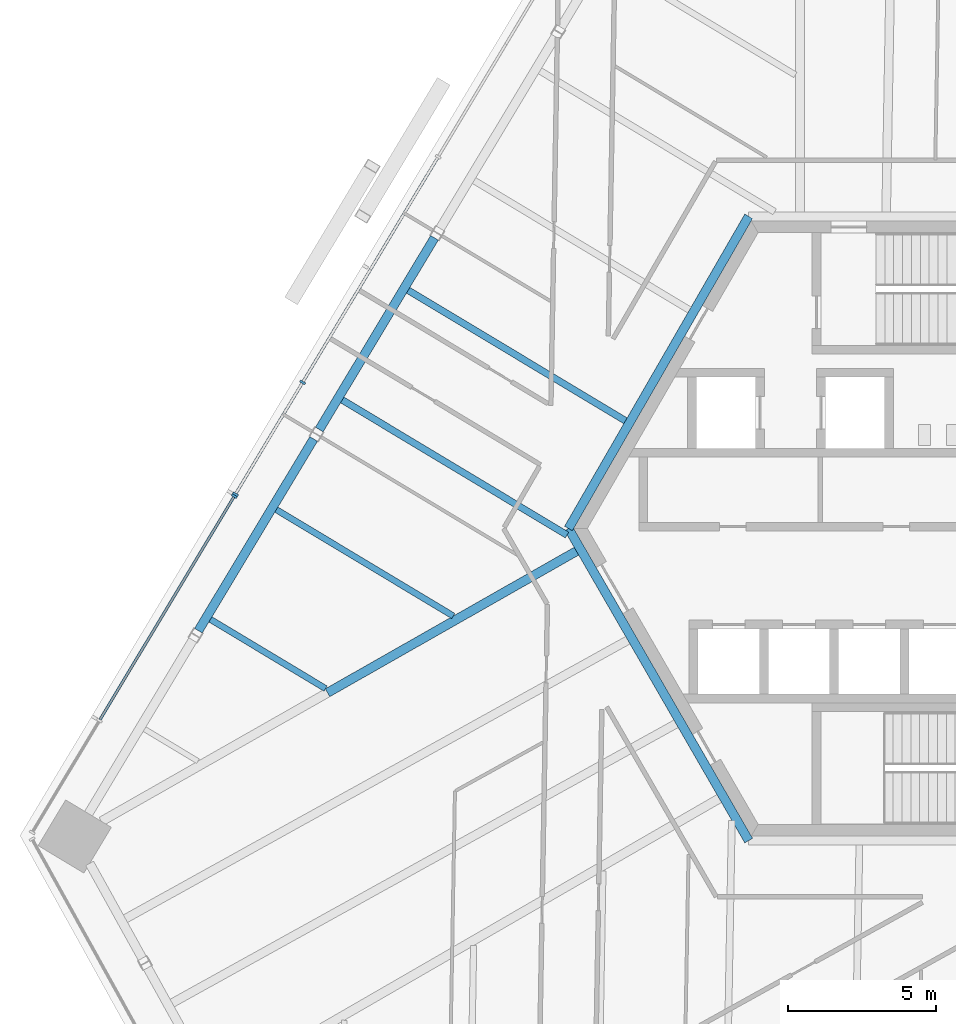
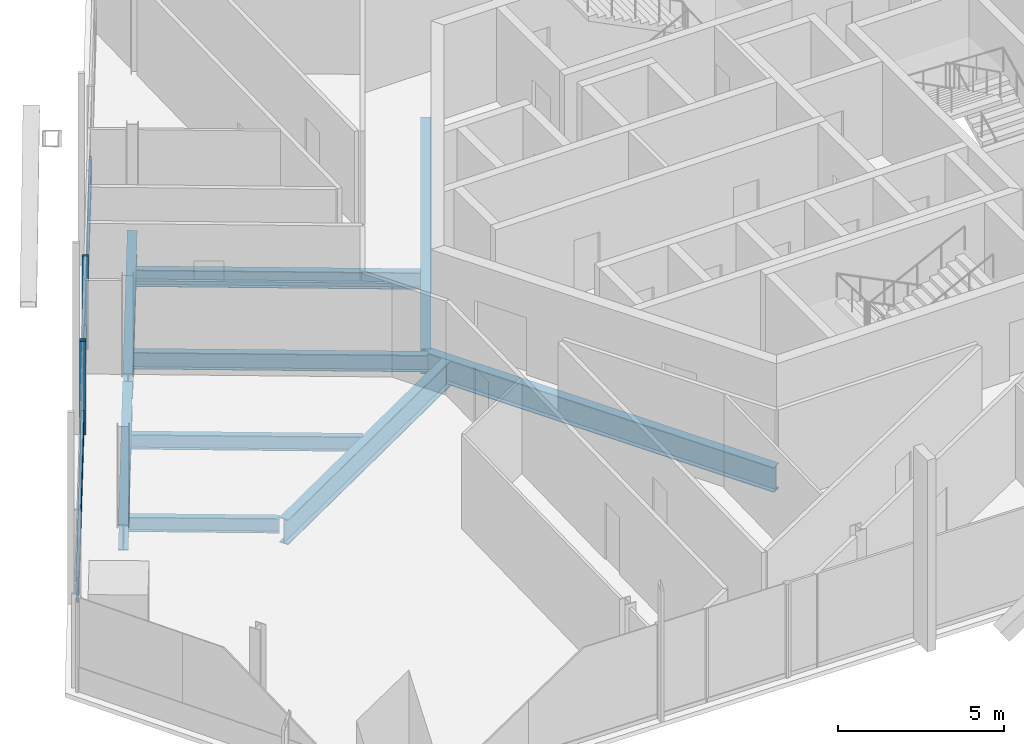
# One storey, part 5 of 20: 9 beams, 6 members, 2 elements without a shape of their own.
"""IFC4 building model written with IfcOpenShell, lengths in metres."""

import ifcopenshell
import ifcopenshell.guid

model = None  # the IFC model being written
_history = None  # IfcOwnerHistory: only IFC2X3 demands one
_inside = {}  # id of a spatial element -> (the spatial element, [elements in it])
_under = {}  # id of a project, library or spatial element -> (it, [spatial elements below it])
_declared = {}  # id of a project -> (the project, [libraries it declares])
_typed = {}  # id of a type object -> (the type object, [elements of that type])
_made_of = {}  # id of a material, layer set ... -> (it, [elements and type objects made of it])


def new_model(schema):
    """Start an empty IFC model of exactly this schema.

    Asked for "IFC4X3", IfcOpenShell would pick the latest addendum, in which some entities
    have other attributes; the version numbers below select the first issue.
    IFC2X3 requires an IfcOwnerHistory on every rooted entity: one is made here for all.
    """
    global model, _history
    if schema == "IFC4X3":
        model = ifcopenshell.file(schema_version=(4, 3, 0, 0))
    else:
        model = ifcopenshell.file(schema=schema)
    _inside.clear()
    _under.clear()
    _declared.clear()
    _typed.clear()
    _made_of.clear()
    _history = None
    if model.schema == "IFC2X3":
        org = make("IfcOrganization", Name="unknown")
        user = make(
            "IfcPersonAndOrganization",
            ThePerson=make("IfcPerson", FamilyName="unknown"),
            TheOrganization=org,
        )
        app = make(
            "IfcApplication",
            ApplicationDeveloper=org,
            Version="unknown",
            ApplicationFullName="unknown",
            ApplicationIdentifier="unknown",
        )
        _history = make(
            "IfcOwnerHistory",
            OwningUser=user,
            OwningApplication=app,
            ChangeAction="ADDED",
            CreationDate=0,
        )
    return model


def make(cls, **values):
    """One entity of the class cls with the attributes given. An attribute that is None is left unset."""
    return model.create_entity(
        cls, **{name: value for name, value in values.items() if value is not None}
    )


def rooted(cls, **values):
    """An entity with a GlobalId (a new one), such as an element, a storey or a relation."""
    return make(cls, GlobalId=ifcopenshell.guid.new(), OwnerHistory=_history, **values)


def si_unit(unit_type, name, prefix=None):
    """IfcSIUnit, for example si_unit("LENGTHUNIT", "METRE", prefix="MILLI")."""
    return make("IfcSIUnit", UnitType=unit_type, Prefix=prefix, Name=name)


def assignment(units):
    """IfcUnitAssignment: the units of a project."""
    return None if units is None else make("IfcUnitAssignment", Units=units)


def point(xyz):
    """IfcCartesianPoint."""
    return None if xyz is None else make("IfcCartesianPoint", Coordinates=xyz)


def direction(xyz):
    """IfcDirection."""
    return None if xyz is None else make("IfcDirection", DirectionRatios=xyz)


def frame(location, z_axis=None, x_axis=None):
    """IfcAxis2Placement3D, a coordinate frame: its origin and axes. An axis left out is left unset."""
    return make(
        "IfcAxis2Placement3D",
        Location=point(location),
        Axis=direction(z_axis),
        RefDirection=direction(x_axis),
    )


def frame_2d(location, x_axis=None):
    """IfcAxis2Placement2D, a coordinate frame in the plane: its origin and x axis."""
    return make(
        "IfcAxis2Placement2D", Location=point(location), RefDirection=direction(x_axis)
    )


def origin():
    """The frame at (0, 0, 0) with its axes left unset."""
    return frame((0.0, 0.0, 0.0))


def origin_2d():
    """The frame at (0, 0) in the plane with its x axis left unset."""
    return frame_2d((0.0, 0.0))


def place(relative_to, where):
    """IfcLocalPlacement: puts the frame where relative to a parent placement (None: the world)."""
    return make(
        "IfcLocalPlacement", PlacementRelTo=relative_to, RelativePlacement=where
    )


def context(
    kind, dimensions, precision=None, world=None, true_north=None, identifier=None
):
    """IfcGeometricRepresentationContext, for example the 3D "Model" context."""
    return make(
        "IfcGeometricRepresentationContext",
        ContextIdentifier=identifier,
        ContextType=kind,
        CoordinateSpaceDimension=dimensions,
        Precision=precision,
        WorldCoordinateSystem=world,
        TrueNorth=true_north,
    )


def subcontext(parent, identifier, kind, view, scale=None):
    """IfcGeometricRepresentationSubContext, for example "Body" below "Model"."""
    return make(
        "IfcGeometricRepresentationSubContext",
        ContextIdentifier=identifier,
        ContextType=kind,
        ParentContext=parent,
        TargetScale=scale,
        TargetView=view,
    )


def project(units=None, contexts=None):
    """IfcProject with its units and contexts."""
    return rooted(
        "IfcProject",
        Name="project",
        RepresentationContexts=contexts,
        UnitsInContext=assignment(units),
    )


def spatial(cls, under=None, at=None, **own):
    """A site, building, storey or space (cls), placed at a placement, below another one or the project."""
    s = rooted(cls, ObjectPlacement=at, **own)
    if under is not None:
        _under.setdefault(under.id(), (under, []))[1].append(s)
    return s


def profile(cls, at=None, kind="AREA", **sizes):
    """A parametric profile (cls). Its sizes go by their IFC names, for example OverallWidth=200.0."""
    return make(cls, ProfileType=kind, Position=at, **sizes)


def rectangle(**sizes):
    """IfcRectangleProfileDef."""
    return profile("IfcRectangleProfileDef", **sizes)


def i_section(**sizes):
    """IfcIShapeProfileDef."""
    return profile("IfcIShapeProfileDef", **sizes)


def extrude(swept, where, along, depth):
    """IfcExtrudedAreaSolid: the profile swept, set in the frame where, extruded along a direction by depth."""
    return make(
        "IfcExtrudedAreaSolid",
        SweptArea=swept,
        Position=where,
        ExtrudedDirection=direction(along),
        Depth=depth,
    )


def shape(context_of_items, identifier, shape_type, items):
    """IfcShapeRepresentation: the items that make up one representation, for example the "Body"."""
    return make(
        "IfcShapeRepresentation",
        ContextOfItems=context_of_items,
        RepresentationIdentifier=identifier,
        RepresentationType=shape_type,
        Items=items,
    )


def source(mapping_origin, context_of_items, identifier, shape_type, items):
    """IfcRepresentationMap: a shape defined once, which mapped items show again and again."""
    return make(
        "IfcRepresentationMap",
        MappingOrigin=mapping_origin,
        MappedRepresentation=shape(context_of_items, identifier, shape_type, items),
    )


def transform(
    local_origin,
    x_axis=None,
    y_axis=None,
    z_axis=None,
    scale=None,
    scale2=None,
    scale3=None,
    uniform=True,
):
    """IfcCartesianTransformationOperator3D, or its non-uniform kind. x_axis, y_axis, z_axis: its Axis1, 2, 3."""
    if uniform:
        return make(
            "IfcCartesianTransformationOperator3D",
            Axis1=direction(x_axis),
            Axis2=direction(y_axis),
            LocalOrigin=point(local_origin),
            Scale=scale,
            Axis3=direction(z_axis),
        )
    return make(
        "IfcCartesianTransformationOperator3DnonUniform",
        Axis1=direction(x_axis),
        Axis2=direction(y_axis),
        LocalOrigin=point(local_origin),
        Scale=scale,
        Axis3=direction(z_axis),
        Scale2=scale2,
        Scale3=scale3,
    )


def mapped(mapping_source, mapping_target):
    """IfcMappedItem: shows the shape of a source again, moved by a transform."""
    return make(
        "IfcMappedItem", MappingSource=mapping_source, MappingTarget=mapping_target
    )


def material(Name=None, Category=None):
    """IfcMaterial."""
    return make("IfcMaterial", Name=Name, Category=Category)


def material_profile(
    of_material, cross_section, Name=None, Category=None, Priority=None
):
    """IfcMaterialProfile: a cross section and its material."""
    return make(
        "IfcMaterialProfile",
        Name=Name,
        Material=of_material,
        Profile=cross_section,
        Priority=Priority,
        Category=Category,
    )


def profile_set(profiles, Name=None, composite=None):
    """IfcMaterialProfileSet."""
    return make(
        "IfcMaterialProfileSet",
        Name=Name,
        MaterialProfiles=profiles,
        CompositeProfile=composite,
    )


def made_of(thing, what):
    """Note that an element or type object is made of a material, layer set ...; save() writes the relation."""
    if what is not None:
        _made_of.setdefault(what.id(), (what, []))[1].append(thing)
    return thing


def type_object(cls, material=None, **own):
    """A type object (cls), such as IfcWallType, which elements share."""
    return made_of(rooted(cls, **own), material)


def element(
    cls,
    number,
    at=None,
    inside=None,
    cuts=None,
    type_object=None,
    material=None,
    context=None,
    identifier="Body",
    shape_type=None,
    held_by="IfcProductDefinitionShape",
    body=None,
    shapes=None,
    **own,
):
    """One element of the class cls, such as IfcWall. Its Tag is "e" and its number.

    at: its placement. inside: the storey or other place that contains it. cuts: it is an
    opening in that element (IfcRelVoidsElement). A single representation is given by context,
    identifier, shape_type and body (its items); several are given by shapes. held_by: the class
    of the entity that holds the representations. save() writes the other relations.
    """
    e = rooted(cls, Tag="e%d" % number, ObjectPlacement=at, **own)
    if body is not None:
        shapes = [shape(context, identifier, shape_type, body)]
    if shapes is not None:
        e.Representation = make(held_by, Representations=shapes)
    if inside is not None:
        _inside.setdefault(inside.id(), (inside, []))[1].append(e)
    if cuts is not None:
        rooted(
            "IfcRelVoidsElement", RelatingBuildingElement=cuts, RelatedOpeningElement=e
        )
    if type_object is not None:
        _typed.setdefault(type_object.id(), (type_object, []))[1].append(e)
    return made_of(e, material)


def aggregate(whole, parts):
    """IfcRelAggregates: a whole, such as a stair, and the parts it consists of."""
    return rooted("IfcRelAggregates", RelatingObject=whole, RelatedObjects=parts)


def save(model, path):
    """Write the relations noted so far, then the file.

    IfcRelAggregates (storeys below a building ...), IfcRelContainedInSpatialStructure (elements
    in a storey), IfcRelDefinesByType, IfcRelAssociatesMaterial and IfcRelDeclares: one each for
    every whole, place, type object, material and project.
    """
    for whole, parts in _under.values():
        aggregate(whole, parts)
    for where, things in _inside.values():
        rooted(
            "IfcRelContainedInSpatialStructure",
            RelatedElements=things,
            RelatingStructure=where,
        )
    for kind, things in _typed.values():
        rooted("IfcRelDefinesByType", RelatedObjects=things, RelatingType=kind)
    for what, things in _made_of.values():
        rooted("IfcRelAssociatesMaterial", RelatedObjects=things, RelatingMaterial=what)
    for by, libraries in _declared.values():
        rooted("IfcRelDeclares", RelatingContext=by, RelatedDefinitions=libraries)
    model.write(path)


model = new_model("IFC4")

# Units and contexts
model_context = context("Model", 3, precision=1e-05, world=origin(), true_north=direction((0.0, 1.0)))
body_context = subcontext(model_context, "Body", "Model", "MODEL_VIEW")
ifc_project = project(units=[si_unit("LENGTHUNIT", "METRE"), si_unit("AREAUNIT", "SQUARE_METRE"), si_unit("VOLUMEUNIT", "CUBIC_METRE"), si_unit("PLANEANGLEUNIT", "RADIAN"), si_unit("MASSUNIT", "GRAM", prefix="KILO")], contexts=[model_context])

# Site, building, storey
site_placement = place(None, origin())
site = spatial("IfcSite", under=ifc_project, at=site_placement, CompositionType="ELEMENT")
building_placement = place(site_placement, origin())
building = spatial("IfcBuilding", under=site, at=building_placement, Name="Triune Harvest Tower", CompositionType="ELEMENT")
storey_placement = place(building_placement, frame((0.0, 0.0, 194.300048828125)))
storey = spatial("IfcBuildingStorey", under=building, at=storey_placement, Name="L50", CompositionType="ELEMENT", Elevation=194.300048828125)

# Beams
ifc_material_1 = material(Name="Steel ASTM A992 Gr 50", Category="steel")
ifc_material_profile_1 = material_profile(ifc_material_1, i_section(OverallWidth=0.3046875, OverallDepth=0.914306640625, WebThickness=0.0166015625, FlangeThickness=0.02587890625, at=origin_2d()), Name="W36x160")
ifc_profile_set_1 = profile_set([ifc_material_profile_1], Name="Steel ASTM A992 Gr 50")
beam_type_1 = type_object("IfcBeamType", Name="CG-1 Core ring girder W36x160", PredefinedType="BEAM", material=ifc_profile_set_1)
shared_shape_1 = source(origin(), body_context, "Body", "SweptSolid", [
    extrude(i_section(OverallWidth=0.3046875, OverallDepth=0.914306640625, WebThickness=0.0166015625, FlangeThickness=0.02587890625, at=origin_2d()), origin(), (0.0, 0.0, 1.0), 12.176025390625),
])
for number, where, z_axis, x_axis, name in (
    (1, (-6.087890625, 10.544677734375, -0.6171875), (-0.5000099932, -0.866019634131, 0.0), (0.866019634131, -0.5000099932, 0.0), "beam/L50/CG3"),
    (2, (-12.176025390625, 0.0, -0.6171875), (0.5000099932, -0.866019634131, 0.0), (0.866019634131, 0.5000099932, 0.0), "beam/L50/CG4"),
):
    element("IfcBeam", number, at=place(storey_placement, frame(where, z_axis=z_axis, x_axis=x_axis)), inside=storey, type_object=beam_type_1, Name=name, PredefinedType="BEAM", context=body_context, shape_type="MappedRepresentation", body=[
        mapped(shared_shape_1, transform((0.0, 0.0, 0.0), scale=1.0)),
    ])
ifc_material_2 = material(Name="Steel ASTM A992 Gr 50", Category="steel")
ifc_material_profile_2 = material_profile(ifc_material_2, i_section(OverallWidth=0.307373046875, OverallDepth=0.922119140625, WebThickness=0.018310546875, FlangeThickness=0.030029296875, at=origin_2d()), Name="W36x182")
ifc_profile_set_2 = profile_set([ifc_material_profile_2], Name="Steel ASTM A992 Gr 50")
beam_type_2 = type_object("IfcBeamType", Name="HG-2 Hip girder W36x182", PredefinedType="BEAM", material=ifc_profile_set_2)
shared_shape_2 = source(origin(), body_context, "Body", "SweptSolid", [
    extrude(i_section(OverallWidth=0.307373046875, OverallDepth=0.922119140625, WebThickness=0.018310546875, FlangeThickness=0.030029296875, at=origin_2d()), origin(), (0.0, 0.0, 1.0), 9.672119140625),
])
beam_1_placement = place(storey_placement, frame((-20.31591796875, -5.549560546875, -0.62109375), z_axis=(0.869255664029, 0.494362812673, 0.0), x_axis=(-0.494362812673, 0.869255664029, 0.0)))
element("IfcBeam", 3, at=beam_1_placement, inside=storey, type_object=beam_type_2, Name="beam/L50/HG6", PredefinedType="BEAM", context=body_context, shape_type="MappedRepresentation", body=[
    mapped(shared_shape_2, transform((0.0, 0.0, 0.0), scale=1.0)),
])
ifc_material_3 = material(Name="Steel ASTM A992 Gr 50", Category="steel")
ifc_material_profile_3 = material_profile(ifc_material_3, i_section(OverallWidth=0.3046875, OverallDepth=0.914306640625, WebThickness=0.0166015625, FlangeThickness=0.02587890625, at=origin_2d()), Name="W36x160")
ifc_profile_set_3 = profile_set([ifc_material_profile_3], Name="Steel ASTM A992 Gr 50")
beam_type_3 = type_object("IfcBeamType", Name="SB-1 Spandrel beam W36x160", PredefinedType="SPANDREL", material=ifc_profile_set_3)
shared_shape_3 = source(origin(), body_context, "Body", "SweptSolid", [
    extrude(i_section(OverallWidth=0.3046875, OverallDepth=0.914306640625, WebThickness=0.0166015625, FlangeThickness=0.02587890625, at=origin_2d()), origin(), (0.0, 0.0, 1.0), 7.556396484375),
])
for number, where, z_axis, x_axis, name in (
    (4, (-16.702880859375, 9.81982421875, -0.6171875), (-0.515065795781, -0.857150643712, 0.0), (0.857150643712, -0.515065795781, 0.0), "beam/L50/SB12"),
    (5, (-20.785888671875, 3.02490234375, -0.6171875), (-0.51504205773, -0.85716490757, 0.0), (0.85716490757, -0.51504205773, 0.0), "beam/L50/SB13"),
):
    element("IfcBeam", number, at=place(storey_placement, frame(where, z_axis=z_axis, x_axis=x_axis)), inside=storey, type_object=beam_type_3, Name=name, PredefinedType="SPANDREL", context=body_context, shape_type="MappedRepresentation", body=[
        mapped(shared_shape_3, transform((0.0, 0.0, 0.0), scale=1.0)),
    ])
ifc_material_4 = material(Name="Steel ASTM A992 Gr 50", Category="steel")
ifc_material_profile_4 = material_profile(ifc_material_4, i_section(OverallWidth=0.22900390625, OverallDepth=0.612060546875, WebThickness=0.011962890625, FlangeThickness=0.01953125, at=origin_2d()), Name="W24x84")
ifc_profile_set_4 = profile_set([ifc_material_profile_4], Name="Steel ASTM A992 Gr 50")
beam_type_4 = type_object("IfcBeamType", Name="JT-3 Floor joist W24x84", PredefinedType="JOIST", material=ifc_profile_set_4)
shared_shape_4 = source(origin(), body_context, "Body", "SweptSolid", [
    extrude(i_section(OverallWidth=0.22900390625, OverallDepth=0.612060546875, WebThickness=0.011962890625, FlangeThickness=0.01953125, at=origin_2d()), origin(), (0.0, 0.0, 1.0), 8.85888671875),
])
beam_2_placement = place(storey_placement, frame((-19.8173828125, 4.3408203125, -0.466064453125), z_axis=(0.857174209269, -0.515026576948, 0.0), x_axis=(0.515026576948, 0.857174209269, 0.0)))
element("IfcBeam", 6, at=beam_2_placement, inside=storey, type_object=beam_type_4, Name="beam/L50/JT19", PredefinedType="JOIST", context=body_context, shape_type="MappedRepresentation", body=[
    mapped(shared_shape_4, transform((0.0, 0.0, 0.0), scale=1.0)),
])
ifc_material_5 = material(Name="Steel ASTM A992 Gr 50", Category="steel")
ifc_material_profile_5 = material_profile(ifc_material_5, i_section(OverallWidth=0.2099609375, OverallDepth=0.535888671875, WebThickness=0.010986328125, FlangeThickness=0.017333984375, at=origin_2d()), Name="W21x68")
ifc_profile_set_5 = profile_set([ifc_material_profile_5], Name="Steel ASTM A992 Gr 50")
beam_type_5 = type_object("IfcBeamType", Name="JT-2 Floor joist W21x68", PredefinedType="JOIST", material=ifc_profile_set_5)
shared_shape_5 = source(origin(), body_context, "Body", "SweptSolid", [
    extrude(i_section(OverallWidth=0.2099609375, OverallDepth=0.535888671875, WebThickness=0.010986328125, FlangeThickness=0.017333984375, at=origin_2d()), origin(), (0.0, 0.0, 1.0), 4.538818359375),
])
beam_3_placement = place(storey_placement, frame((-24.271484375, -3.072021484375, -0.427978515625), z_axis=(0.85717477652, -0.515025632855, 0.0), x_axis=(0.515025632855, 0.85717477652, 0.0)))
element("IfcBeam", 7, at=beam_3_placement, inside=storey, type_object=beam_type_5, Name="beam/L50/JT21", PredefinedType="JOIST", context=body_context, shape_type="MappedRepresentation", body=[
    mapped(shared_shape_5, transform((0.0, 0.0, 0.0), scale=1.0)),
])
shared_shape_6 = source(origin(), body_context, "Body", "SweptSolid", [
    extrude(i_section(OverallWidth=0.22900390625, OverallDepth=0.612060546875, WebThickness=0.011962890625, FlangeThickness=0.01953125, at=origin_2d()), origin(), (0.0, 0.0, 1.0), 8.5615234375),
])
beam_4_placement = place(storey_placement, frame((-17.59033203125, 8.047119140625, -0.466064453125), z_axis=(0.857170691548, -0.515032431553, 0.0), x_axis=(0.515032431553, 0.857170691548, 0.0)))
element("IfcBeam", 8, at=beam_4_placement, inside=storey, type_object=beam_type_4, Name="beam/L50/JT18", PredefinedType="JOIST", context=body_context, shape_type="MappedRepresentation", body=[
    mapped(shared_shape_6, transform((0.0, 0.0, 0.0), scale=1.0)),
])
shared_shape_7 = source(origin(), body_context, "Body", "SweptSolid", [
    extrude(i_section(OverallWidth=0.2099609375, OverallDepth=0.535888671875, WebThickness=0.010986328125, FlangeThickness=0.017333984375, at=origin_2d()), origin(), (0.0, 0.0, 1.0), 6.972900390625),
])
beam_5_placement = place(storey_placement, frame((-22.04443359375, 0.634521484375, -0.427978515625), z_axis=(0.857162181364, -0.515046594823, 0.0), x_axis=(0.515046594823, 0.857162181364, 0.0)))
element("IfcBeam", 9, at=beam_5_placement, inside=storey, type_object=beam_type_5, Name="beam/L50/JT20", PredefinedType="JOIST", context=body_context, shape_type="MappedRepresentation", body=[
    mapped(shared_shape_7, transform((0.0, 0.0, 0.0), scale=1.0)),
])

# Curtain wall, members
ifc_material_6 = material(Name="Aluminium bronze anodised", Category="aluminium")
curtain_wall_type_1 = type_object("IfcCurtainWallType", Name="CW-7 Tower stick curtain wall with insulated spandrel infill", PredefinedType="NOTDEFINED", material=ifc_material_6)
curtain_wall_1_placement = place(storey_placement, origin())
curtain_wall_1 = element("IfcCurtainWall", 10, at=curtain_wall_1_placement, inside=storey, type_object=curtain_wall_type_1, Name="CW-7 B5-F3 L50 run 1001")
ifc_material_7 = material(Name="Aluminium bronze anodised", Category="aluminium")
ifc_material_profile_6 = material_profile(ifc_material_7, rectangle(XDim=0.199951171875, YDim=0.074951171875, at=origin_2d()), Name="MU-1 mullion 75 x 200")
ifc_profile_set_6 = profile_set([ifc_material_profile_6], Name="Aluminium bronze anodised")
member_type_1 = type_object("IfcMemberType", Name="MU-1 mullion 75 x 200", PredefinedType="MULLION", material=ifc_profile_set_6)
shared_shape_8 = source(origin(), body_context, "Body", "SweptSolid", [
    extrude(rectangle(XDim=0.199951171875, YDim=0.074951171875, at=origin_2d()), origin(), (0.0, 0.0, 1.0), 3.43994140625),
])
member_1_placement = place(storey_placement, frame((-21.1572265625, 4.935302734375, 0.0), z_axis=(0.0, 0.0, 1.0), x_axis=(0.857166753732, -0.51503898522, 0.0)))
member_1 = element("IfcMember", 11, at=member_1_placement, type_object=member_type_1, Name="CW-7 mullion B5-F3 1001.5", PredefinedType="MULLION", context=body_context, shape_type="MappedRepresentation", body=[
    mapped(shared_shape_8, transform((0.0, 0.0, 0.0), scale=1.0)),
])
member_2_placement = place(storey_placement, frame((-23.4267578125, 1.157958984375, 0.0), z_axis=(0.0, 0.0, 1.0), x_axis=(0.857166753732, -0.51503898522, 0.0)))
member_2 = element("IfcMember", 12, at=member_2_placement, type_object=member_type_1, Name="CW-7 mullion B5-F3 1001.6", PredefinedType="MULLION", context=body_context, shape_type="MappedRepresentation", body=[
    mapped(shared_shape_8, transform((0.0, 0.0, 0.0), scale=1.0)),
])

ifc_material_8 = material(Name="Aluminium bronze anodised", Category="aluminium")
curtain_wall_type_2 = type_object("IfcCurtainWallType", Name="CW-1 Tower stick curtain wall", PredefinedType="NOTDEFINED", material=ifc_material_8)
curtain_wall_2_placement = place(storey_placement, origin())
curtain_wall_2 = element("IfcCurtainWall", 13, at=curtain_wall_2_placement, inside=storey, type_object=curtain_wall_type_2, Name="CW-1 B5-F3 L50 run 2001")
member_3_placement = place(storey_placement, frame((-23.46533203125, 1.09375, 0.0), z_axis=(0.0, 0.0, 1.0), x_axis=(0.857169345736, -0.515034671387, 0.0)))
member_3 = element("IfcMember", 14, at=member_3_placement, type_object=member_type_1, Name="CW-1 mullion B5-F3 2001.1", PredefinedType="MULLION", context=body_context, shape_type="MappedRepresentation", body=[
    mapped(shared_shape_8, transform((0.0, 0.0, 0.0), scale=1.0)),
])
ifc_material_9 = material(Name="Aluminium bronze anodised", Category="aluminium")
ifc_material_profile_7 = material_profile(ifc_material_9, rectangle(XDim=0.090087890625, YDim=0.89990234375, at=origin_2d()), Name="TR-1 transom 90 x 900")
ifc_profile_set_7 = profile_set([ifc_material_profile_7], Name="Aluminium bronze anodised")
member_type_2 = type_object("IfcMemberType", Name="TR-1 transom 90 x 900", PredefinedType="USERDEFINED", material=ifc_profile_set_7)
shared_shape_9 = source(origin(), body_context, "Body", "SweptSolid", [
    extrude(rectangle(XDim=0.090087890625, YDim=0.89990234375, at=origin_2d()), origin(), (0.0, 0.0, 1.0), 8.77587890625),
])
member_4_placement = place(storey_placement, frame((-23.484619140625, 1.0615234375, 0.449951171875), z_axis=(-0.515043851299, -0.857163829871, 0.0), x_axis=(0.857163829871, -0.515043851299, 0.0)))
member_4 = element("IfcMember", 15, at=member_4_placement, type_object=member_type_2, Name="CW-1 transom B5-F3 2001.1", ObjectType="TRANSOM", PredefinedType="USERDEFINED", context=body_context, shape_type="MappedRepresentation", body=[
    mapped(shared_shape_9, transform((0.0, 0.0, 0.0), scale=1.0)),
])
aggregate(curtain_wall_2, [member_3, member_4])

# Member
shared_shape_10 = source(origin(), body_context, "Body", "SweptSolid", [
    extrude(rectangle(XDim=0.090087890625, YDim=0.89990234375, at=origin_2d()), origin(), (0.0, 0.0, 1.0), 4.33154296875),
])
member_5_placement = place(storey_placement, frame((-21.176513671875, 4.903076171875, 0.449951171875), z_axis=(-0.515042700833, -0.85716452115, 0.0), x_axis=(0.85716452115, -0.515042700833, 0.0)))
member_5 = element("IfcMember", 16, at=member_5_placement, type_object=member_type_2, Name="CW-7 transom B5-F3 1001.3", ObjectType="TRANSOM", PredefinedType="USERDEFINED", context=body_context, shape_type="MappedRepresentation", body=[
    mapped(shared_shape_10, transform((0.0, 0.0, 0.0), scale=1.0)),
])

shared_shape_11 = source(origin(), body_context, "Body", "SweptSolid", [
    extrude(rectangle(XDim=0.090087890625, YDim=0.89990234375, at=origin_2d()), origin(), (0.0, 0.0, 1.0), 8.8134765625),
])
member_6_placement = place(storey_placement, frame((-16.5986328125, 12.52197265625, 0.449951171875), z_axis=(-0.515037444076, -0.857167679745, 0.0), x_axis=(0.857167679745, -0.515037444076, 0.0)))
member_6 = element("IfcMember", 17, at=member_6_placement, type_object=member_type_2, Name="CW-7 transom B5-F3 1001.2", ObjectType="TRANSOM", PredefinedType="USERDEFINED", context=body_context, shape_type="MappedRepresentation", body=[
    mapped(shared_shape_11, transform((0.0, 0.0, 0.0), scale=1.0)),
])

aggregate(curtain_wall_1, [member_1, member_2, member_6, member_5])

save(model, "model.ifc")
